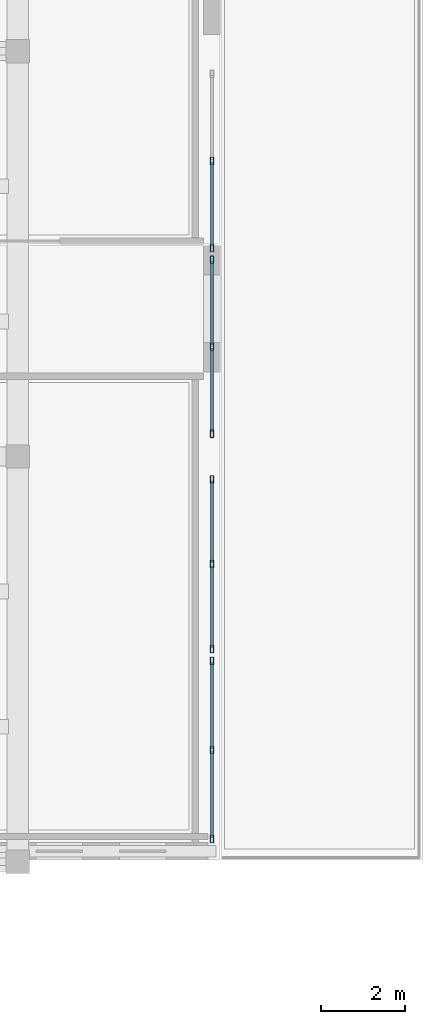
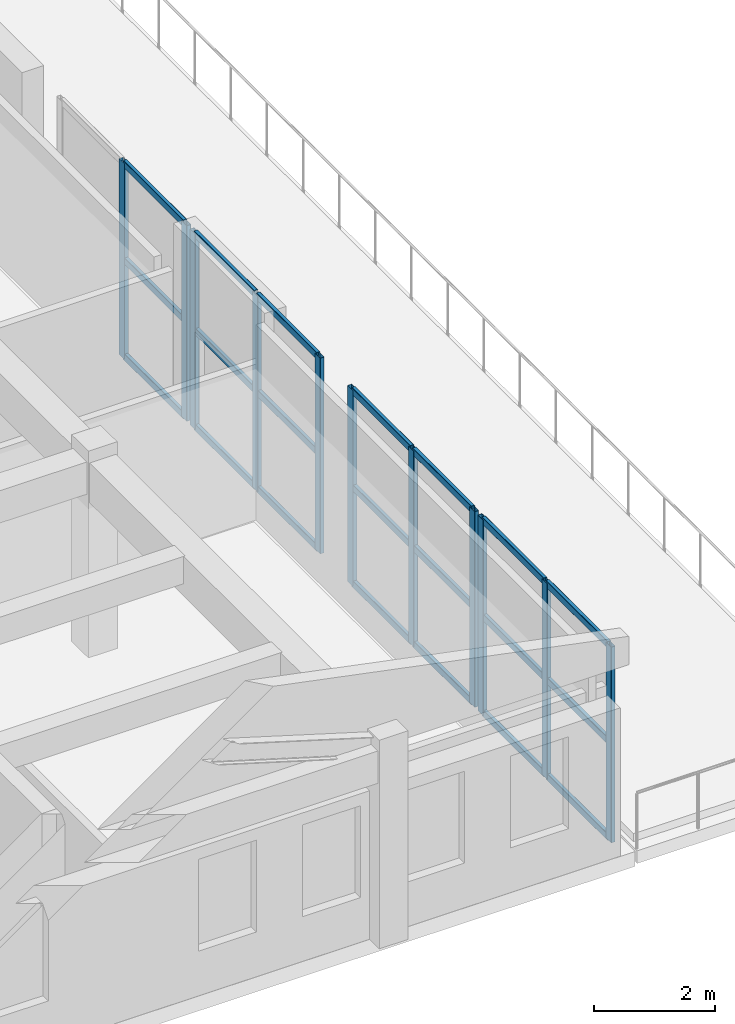
# One storey, part 4 of 31: 32 members, 4 elements without a shape of their own.
"""IFC4 building model written with IfcOpenShell, lengths in metres."""

import ifcopenshell
import ifcopenshell.guid

model = None  # the IFC model being written
_history = None  # IfcOwnerHistory: only IFC2X3 demands one
_inside = {}  # id of a spatial element -> (the spatial element, [elements in it])
_under = {}  # id of a project, library or spatial element -> (it, [spatial elements below it])
_declared = {}  # id of a project -> (the project, [libraries it declares])
_typed = {}  # id of a type object -> (the type object, [elements of that type])
_made_of = {}  # id of a material, layer set ... -> (it, [elements and type objects made of it])


def new_model(schema):
    """Start an empty IFC model of exactly this schema.

    Asked for "IFC4X3", IfcOpenShell would pick the latest addendum, in which some entities
    have other attributes; the version numbers below select the first issue.
    IFC2X3 requires an IfcOwnerHistory on every rooted entity: one is made here for all.
    """
    global model, _history
    if schema == "IFC4X3":
        model = ifcopenshell.file(schema_version=(4, 3, 0, 0))
    else:
        model = ifcopenshell.file(schema=schema)
    _inside.clear()
    _under.clear()
    _declared.clear()
    _typed.clear()
    _made_of.clear()
    _history = None
    if model.schema == "IFC2X3":
        org = make("IfcOrganization", Name="unknown")
        user = make(
            "IfcPersonAndOrganization",
            ThePerson=make("IfcPerson", FamilyName="unknown"),
            TheOrganization=org,
        )
        app = make(
            "IfcApplication",
            ApplicationDeveloper=org,
            Version="unknown",
            ApplicationFullName="unknown",
            ApplicationIdentifier="unknown",
        )
        _history = make(
            "IfcOwnerHistory",
            OwningUser=user,
            OwningApplication=app,
            ChangeAction="ADDED",
            CreationDate=0,
        )
    return model


def make(cls, **values):
    """One entity of the class cls with the attributes given. An attribute that is None is left unset."""
    return model.create_entity(
        cls, **{name: value for name, value in values.items() if value is not None}
    )


def rooted(cls, **values):
    """An entity with a GlobalId (a new one), such as an element, a storey or a relation."""
    return make(cls, GlobalId=ifcopenshell.guid.new(), OwnerHistory=_history, **values)


def si_unit(unit_type, name, prefix=None):
    """IfcSIUnit, for example si_unit("LENGTHUNIT", "METRE", prefix="MILLI")."""
    return make("IfcSIUnit", UnitType=unit_type, Prefix=prefix, Name=name)


def assignment(units):
    """IfcUnitAssignment: the units of a project."""
    return None if units is None else make("IfcUnitAssignment", Units=units)


def point(xyz):
    """IfcCartesianPoint."""
    return None if xyz is None else make("IfcCartesianPoint", Coordinates=xyz)


def direction(xyz):
    """IfcDirection."""
    return None if xyz is None else make("IfcDirection", DirectionRatios=xyz)


def frame(location, z_axis=None, x_axis=None):
    """IfcAxis2Placement3D, a coordinate frame: its origin and axes. An axis left out is left unset."""
    return make(
        "IfcAxis2Placement3D",
        Location=point(location),
        Axis=direction(z_axis),
        RefDirection=direction(x_axis),
    )


def frame_2d(location, x_axis=None):
    """IfcAxis2Placement2D, a coordinate frame in the plane: its origin and x axis."""
    return make(
        "IfcAxis2Placement2D", Location=point(location), RefDirection=direction(x_axis)
    )


def origin():
    """The frame at (0, 0, 0) with its axes left unset."""
    return frame((0.0, 0.0, 0.0))


def origin_2d():
    """The frame at (0, 0) in the plane with its x axis left unset."""
    return frame_2d((0.0, 0.0))


def place(relative_to, where):
    """IfcLocalPlacement: puts the frame where relative to a parent placement (None: the world)."""
    return make(
        "IfcLocalPlacement", PlacementRelTo=relative_to, RelativePlacement=where
    )


def context(
    kind, dimensions, precision=None, world=None, true_north=None, identifier=None
):
    """IfcGeometricRepresentationContext, for example the 3D "Model" context."""
    return make(
        "IfcGeometricRepresentationContext",
        ContextIdentifier=identifier,
        ContextType=kind,
        CoordinateSpaceDimension=dimensions,
        Precision=precision,
        WorldCoordinateSystem=world,
        TrueNorth=true_north,
    )


def subcontext(parent, identifier, kind, view, scale=None):
    """IfcGeometricRepresentationSubContext, for example "Body" below "Model"."""
    return make(
        "IfcGeometricRepresentationSubContext",
        ContextIdentifier=identifier,
        ContextType=kind,
        ParentContext=parent,
        TargetScale=scale,
        TargetView=view,
    )


def project(units=None, contexts=None):
    """IfcProject with its units and contexts."""
    return rooted(
        "IfcProject",
        Name="project",
        RepresentationContexts=contexts,
        UnitsInContext=assignment(units),
    )


def spatial(cls, under=None, at=None, **own):
    """A site, building, storey or space (cls), placed at a placement, below another one or the project."""
    s = rooted(cls, ObjectPlacement=at, **own)
    if under is not None:
        _under.setdefault(under.id(), (under, []))[1].append(s)
    return s


def profile(cls, at=None, kind="AREA", **sizes):
    """A parametric profile (cls). Its sizes go by their IFC names, for example OverallWidth=200.0."""
    return make(cls, ProfileType=kind, Position=at, **sizes)


def hollow_rectangle(**sizes):
    """IfcRectangleHollowProfileDef."""
    return profile("IfcRectangleHollowProfileDef", **sizes)


def extrude(swept, where, along, depth):
    """IfcExtrudedAreaSolid: the profile swept, set in the frame where, extruded along a direction by depth."""
    return make(
        "IfcExtrudedAreaSolid",
        SweptArea=swept,
        Position=where,
        ExtrudedDirection=direction(along),
        Depth=depth,
    )


def shape(context_of_items, identifier, shape_type, items):
    """IfcShapeRepresentation: the items that make up one representation, for example the "Body"."""
    return make(
        "IfcShapeRepresentation",
        ContextOfItems=context_of_items,
        RepresentationIdentifier=identifier,
        RepresentationType=shape_type,
        Items=items,
    )


def material(Name=None, Category=None):
    """IfcMaterial."""
    return make("IfcMaterial", Name=Name, Category=Category)


def layer(
    of_material, thickness, ventilated=None, Name=None, Category=None, Priority=None
):
    """IfcMaterialLayer: one layer of a wall or slab, of a material (None: an air gap)."""
    return make(
        "IfcMaterialLayer",
        Material=of_material,
        LayerThickness=thickness,
        IsVentilated=ventilated,
        Name=Name,
        Category=Category,
        Priority=Priority,
    )


def layer_set(layers, Name=None):
    """IfcMaterialLayerSet."""
    return make("IfcMaterialLayerSet", MaterialLayers=layers, LayerSetName=Name)


def material_profile(
    of_material, cross_section, Name=None, Category=None, Priority=None
):
    """IfcMaterialProfile: a cross section and its material."""
    return make(
        "IfcMaterialProfile",
        Name=Name,
        Material=of_material,
        Profile=cross_section,
        Priority=Priority,
        Category=Category,
    )


def profile_set(profiles, Name=None, composite=None):
    """IfcMaterialProfileSet."""
    return make(
        "IfcMaterialProfileSet",
        Name=Name,
        MaterialProfiles=profiles,
        CompositeProfile=composite,
    )


def made_of(thing, what):
    """Note that an element or type object is made of a material, layer set ...; save() writes the relation."""
    if what is not None:
        _made_of.setdefault(what.id(), (what, []))[1].append(thing)
    return thing


def type_object(cls, material=None, **own):
    """A type object (cls), such as IfcWallType, which elements share."""
    return made_of(rooted(cls, **own), material)


def element(
    cls,
    number,
    at=None,
    inside=None,
    cuts=None,
    type_object=None,
    material=None,
    context=None,
    identifier="Body",
    shape_type=None,
    held_by="IfcProductDefinitionShape",
    body=None,
    shapes=None,
    **own,
):
    """One element of the class cls, such as IfcWall. Its Tag is "e" and its number.

    at: its placement. inside: the storey or other place that contains it. cuts: it is an
    opening in that element (IfcRelVoidsElement). A single representation is given by context,
    identifier, shape_type and body (its items); several are given by shapes. held_by: the class
    of the entity that holds the representations. save() writes the other relations.
    """
    e = rooted(cls, Tag="e%d" % number, ObjectPlacement=at, **own)
    if body is not None:
        shapes = [shape(context, identifier, shape_type, body)]
    if shapes is not None:
        e.Representation = make(held_by, Representations=shapes)
    if inside is not None:
        _inside.setdefault(inside.id(), (inside, []))[1].append(e)
    if cuts is not None:
        rooted(
            "IfcRelVoidsElement", RelatingBuildingElement=cuts, RelatedOpeningElement=e
        )
    if type_object is not None:
        _typed.setdefault(type_object.id(), (type_object, []))[1].append(e)
    return made_of(e, material)


def aggregate(whole, parts):
    """IfcRelAggregates: a whole, such as a stair, and the parts it consists of."""
    return rooted("IfcRelAggregates", RelatingObject=whole, RelatedObjects=parts)


def save(model, path):
    """Write the relations noted so far, then the file.

    IfcRelAggregates (storeys below a building ...), IfcRelContainedInSpatialStructure (elements
    in a storey), IfcRelDefinesByType, IfcRelAssociatesMaterial and IfcRelDeclares: one each for
    every whole, place, type object, material and project.
    """
    for whole, parts in _under.values():
        aggregate(whole, parts)
    for where, things in _inside.values():
        rooted(
            "IfcRelContainedInSpatialStructure",
            RelatedElements=things,
            RelatingStructure=where,
        )
    for kind, things in _typed.values():
        rooted("IfcRelDefinesByType", RelatedObjects=things, RelatingType=kind)
    for what, things in _made_of.values():
        rooted("IfcRelAssociatesMaterial", RelatedObjects=things, RelatingMaterial=what)
    for by, libraries in _declared.values():
        rooted("IfcRelDeclares", RelatingContext=by, RelatedDefinitions=libraries)
    model.write(path)


model = new_model("IFC4")

# Units and contexts
model_context = context("Model", 3, precision=1e-05, world=origin(), true_north=direction((0.0, 1.0)))
body_context = subcontext(model_context, "Body", "Model", "MODEL_VIEW")
ifc_project = project(units=[si_unit("LENGTHUNIT", "METRE"), si_unit("AREAUNIT", "SQUARE_METRE"), si_unit("VOLUMEUNIT", "CUBIC_METRE"), si_unit("PLANEANGLEUNIT", "RADIAN"), si_unit("MASSUNIT", "GRAM", prefix="KILO")], contexts=[model_context])

# Site, building, storey
site_placement = place(None, origin())
site = spatial("IfcSite", under=ifc_project, at=site_placement, CompositionType="ELEMENT")
building_placement = place(site_placement, origin())
building = spatial("IfcBuilding", under=site, at=building_placement, Name="Tarnavel Promenade Courthouse", CompositionType="ELEMENT")
storey_placement = place(building_placement, frame((0.0, 0.0, 18.60009765625)))
storey = spatial("IfcBuildingStorey", under=building, at=storey_placement, Name="L05", CompositionType="ELEMENT", Elevation=18.60009765625)

# Curtain wall, members
ifc_material_1 = material(Name="Thermally Broken Anodised Aluminium Curtain Wall System", Category="aluminium")
ifc_layer = layer(ifc_material_1, 0.195068359375)
ifc_layer_set = layer_set([ifc_layer], Name="Thermally Broken Anodised Aluminium Curtain Wall System")
curtain_wall_type = type_object("IfcCurtainWallType", Name="Thermally Broken Aluminium Triple-Glazed Curtain Wall CW-TER", PredefinedType="NOTDEFINED", material=ifc_layer_set)
curtain_wall_1_placement = place(storey_placement, origin())
curtain_wall_1 = element("IfcCurtainWall", 1, at=curtain_wall_1_placement, inside=storey, type_object=curtain_wall_type, Name="L05 Library Terrace Glazed Bay 181", PredefinedType="NOTDEFINED")
ifc_material_2 = material(Name="Thermally Broken Anodised Aluminium Frame", Category="aluminium")
ifc_material_profile_1 = material_profile(ifc_material_2, hollow_rectangle(XDim=0.080078125, YDim=0.179931640625, WallThickness=0.0048828125, InnerFilletRadius=0.0048828125, OuterFilletRadius=0.010009765625, at=origin_2d()), Name="CWM 180x80x5")
ifc_profile_set_1 = profile_set([ifc_material_profile_1], Name="Thermally Broken Anodised Aluminium Frame")
member_type_1 = type_object("IfcMemberType", Name="Thermally Broken Anodised Aluminium CWM-155 (CWM 180x80x5)", PredefinedType="MULLION", material=ifc_profile_set_1)
member_1_placement = place(storey_placement, frame((33.39990234375, 37.739990234375, 0.0), z_axis=(0.0, 0.0, 1.0), x_axis=(-1.0, 0.0, 0.0)))
member_1 = element("IfcMember", 2, at=member_1_placement, type_object=member_type_1, Name="CW-06 mullion 1", PredefinedType="MULLION", context=body_context, shape_type="SweptSolid", body=[
    extrude(hollow_rectangle(XDim=0.080078125, YDim=0.179931640625, WallThickness=0.0048828125, InnerFilletRadius=0.0048828125, OuterFilletRadius=0.010009765625, at=origin_2d()), origin(), (0.0, 0.0, 1.0), 3.93994140625),
])
member_2_placement = place(storey_placement, frame((33.39990234375, 39.85009765625, 0.0), z_axis=(0.0, 0.0, 1.0), x_axis=(-1.0, 0.0, 0.0)))
member_2 = element("IfcMember", 3, at=member_2_placement, type_object=member_type_1, Name="CW-06 mullion 2", PredefinedType="MULLION", context=body_context, shape_type="SweptSolid", body=[
    extrude(hollow_rectangle(XDim=0.080078125, YDim=0.179931640625, WallThickness=0.0048828125, InnerFilletRadius=0.0048828125, OuterFilletRadius=0.010009765625, at=origin_2d()), origin(), (0.0, 0.0, 1.0), 3.93994140625),
])
member_3_placement = place(storey_placement, frame((33.39990234375, 41.9599609375, 0.0), z_axis=(0.0, 0.0, 1.0), x_axis=(-1.0, 0.0, 0.0)))
member_3 = element("IfcMember", 4, at=member_3_placement, type_object=member_type_1, Name="CW-06 mullion 3", PredefinedType="MULLION", context=body_context, shape_type="SweptSolid", body=[
    extrude(hollow_rectangle(XDim=0.080078125, YDim=0.179931640625, WallThickness=0.0048828125, InnerFilletRadius=0.0048828125, OuterFilletRadius=0.010009765625, at=origin_2d()), origin(), (0.0, 0.0, 1.0), 3.93994140625),
])

curtain_wall_2_placement = place(storey_placement, origin())
curtain_wall_2 = element("IfcCurtainWall", 5, at=curtain_wall_2_placement, inside=storey, type_object=curtain_wall_type, Name="L05 Library Terrace Glazed Bay 182", PredefinedType="NOTDEFINED")
member_4_placement = place(storey_placement, frame((33.39990234375, 42.239990234375, 0.0), z_axis=(0.0, 0.0, 1.0), x_axis=(-1.0, 0.0, 0.0)))
member_4 = element("IfcMember", 6, at=member_4_placement, type_object=member_type_1, Name="CW-06 mullion 1", PredefinedType="MULLION", context=body_context, shape_type="SweptSolid", body=[
    extrude(hollow_rectangle(XDim=0.080078125, YDim=0.179931640625, WallThickness=0.0048828125, InnerFilletRadius=0.0048828125, OuterFilletRadius=0.010009765625, at=origin_2d()), origin(), (0.0, 0.0, 1.0), 3.93994140625),
])
member_5_placement = place(storey_placement, frame((33.39990234375, 44.25, 0.0), z_axis=(0.0, 0.0, 1.0), x_axis=(-1.0, 0.0, 0.0)))
member_5 = element("IfcMember", 7, at=member_5_placement, type_object=member_type_1, Name="CW-06 mullion 2", PredefinedType="MULLION", context=body_context, shape_type="SweptSolid", body=[
    extrude(hollow_rectangle(XDim=0.080078125, YDim=0.179931640625, WallThickness=0.0048828125, InnerFilletRadius=0.0048828125, OuterFilletRadius=0.010009765625, at=origin_2d()), origin(), (0.0, 0.0, 1.0), 3.93994140625),
])
member_6_placement = place(storey_placement, frame((33.39990234375, 46.260009765625, 0.0), z_axis=(0.0, 0.0, 1.0), x_axis=(-1.0, 0.0, 0.0)))
member_6 = element("IfcMember", 8, at=member_6_placement, type_object=member_type_1, Name="CW-06 mullion 3", PredefinedType="MULLION", context=body_context, shape_type="SweptSolid", body=[
    extrude(hollow_rectangle(XDim=0.080078125, YDim=0.179931640625, WallThickness=0.0048828125, InnerFilletRadius=0.0048828125, OuterFilletRadius=0.010009765625, at=origin_2d()), origin(), (0.0, 0.0, 1.0), 3.93994140625),
])

curtain_wall_3_placement = place(storey_placement, origin())
curtain_wall_3 = element("IfcCurtainWall", 9, at=curtain_wall_3_placement, inside=storey, type_object=curtain_wall_type, Name="L05 Library Terrace Glazed Bay 183", PredefinedType="NOTDEFINED")
member_7_placement = place(storey_placement, frame((33.39990234375, 47.340087890625, 0.0), z_axis=(0.0, 0.0, 1.0), x_axis=(-1.0, 0.0, 0.0)))
member_7 = element("IfcMember", 10, at=member_7_placement, type_object=member_type_1, Name="CW-06 mullion 1", PredefinedType="MULLION", context=body_context, shape_type="SweptSolid", body=[
    extrude(hollow_rectangle(XDim=0.080078125, YDim=0.179931640625, WallThickness=0.0048828125, InnerFilletRadius=0.0048828125, OuterFilletRadius=0.010009765625, at=origin_2d()), origin(), (0.0, 0.0, 1.0), 3.93994140625),
])
member_8_placement = place(storey_placement, frame((33.39990234375, 49.39990234375, 0.0), z_axis=(0.0, 0.0, 1.0), x_axis=(-1.0, 0.0, 0.0)))
member_8 = element("IfcMember", 11, at=member_8_placement, type_object=member_type_1, Name="CW-06 mullion 2", PredefinedType="MULLION", context=body_context, shape_type="SweptSolid", body=[
    extrude(hollow_rectangle(XDim=0.080078125, YDim=0.179931640625, WallThickness=0.0048828125, InnerFilletRadius=0.0048828125, OuterFilletRadius=0.010009765625, at=origin_2d()), origin(), (0.0, 0.0, 1.0), 3.93994140625),
])
member_9_placement = place(storey_placement, frame((33.39990234375, 51.4599609375, 0.0), z_axis=(0.0, 0.0, 1.0), x_axis=(-1.0, 0.0, 0.0)))
member_9 = element("IfcMember", 12, at=member_9_placement, type_object=member_type_1, Name="CW-06 mullion 3", PredefinedType="MULLION", context=body_context, shape_type="SweptSolid", body=[
    extrude(hollow_rectangle(XDim=0.080078125, YDim=0.179931640625, WallThickness=0.0048828125, InnerFilletRadius=0.0048828125, OuterFilletRadius=0.010009765625, at=origin_2d()), origin(), (0.0, 0.0, 1.0), 3.93994140625),
])

curtain_wall_4_placement = place(storey_placement, origin())
curtain_wall_4 = element("IfcCurtainWall", 13, at=curtain_wall_4_placement, inside=storey, type_object=curtain_wall_type, Name="L05 Library Terrace Glazed Bay 184", PredefinedType="NOTDEFINED")
member_10_placement = place(storey_placement, frame((33.39990234375, 51.739990234375, 0.0), z_axis=(0.0, 0.0, 1.0), x_axis=(-1.0, 0.0, 0.0)))
member_10 = element("IfcMember", 14, at=member_10_placement, type_object=member_type_1, Name="CW-06 mullion 1", PredefinedType="MULLION", context=body_context, shape_type="SweptSolid", body=[
    extrude(hollow_rectangle(XDim=0.080078125, YDim=0.179931640625, WallThickness=0.0048828125, InnerFilletRadius=0.0048828125, OuterFilletRadius=0.010009765625, at=origin_2d()), origin(), (0.0, 0.0, 1.0), 3.93994140625),
])
member_11_placement = place(storey_placement, frame((33.39990234375, 53.800048828125, 0.0), z_axis=(0.0, 0.0, 1.0), x_axis=(-1.0, 0.0, 0.0)))
member_11 = element("IfcMember", 15, at=member_11_placement, type_object=member_type_1, Name="CW-06 mullion 2", PredefinedType="MULLION", context=body_context, shape_type="SweptSolid", body=[
    extrude(hollow_rectangle(XDim=0.080078125, YDim=0.179931640625, WallThickness=0.0048828125, InnerFilletRadius=0.0048828125, OuterFilletRadius=0.010009765625, at=origin_2d()), origin(), (0.0, 0.0, 1.0), 3.93994140625),
])

# Member
ifc_material_profile_2 = material_profile(ifc_material_2, hollow_rectangle(XDim=0.070068359375, YDim=0.139892578125, WallThickness=0.0048828125, InnerFilletRadius=0.0048828125, OuterFilletRadius=0.010009765625, at=origin_2d()), Name="CWT 140x70x5")
ifc_profile_set_2 = profile_set([ifc_material_profile_2], Name="Thermally Broken Anodised Aluminium Frame")
member_type_2 = type_object("IfcMemberType", Name="Thermally Broken Anodised Aluminium CWT-125 (CWT 140x70x5)", PredefinedType="USERDEFINED", material=ifc_profile_set_2)
member_12_placement = place(storey_placement, frame((33.39990234375, 37.780029296875, 0.034912109375), z_axis=(0.0, 1.0, 0.0), x_axis=(-1.0, 0.0, 0.0)))
member_12 = element("IfcMember", 16, at=member_12_placement, type_object=member_type_2, Name="CW-06 transom 1.1", ObjectType="TRANSOM", PredefinedType="USERDEFINED", context=body_context, shape_type="SweptSolid", body=[
    extrude(hollow_rectangle(XDim=0.070068359375, YDim=0.139892578125, WallThickness=0.0048828125, InnerFilletRadius=0.0048828125, OuterFilletRadius=0.010009765625, at=origin_2d()), origin(), (0.0, 0.0, 1.0), 2.030029296875),
])

member_13_placement = place(storey_placement, frame((33.39990234375, 37.780029296875, 1.969970703125), z_axis=(0.0, 1.0, 0.0), x_axis=(-1.0, 0.0, 0.0)))
member_13 = element("IfcMember", 17, at=member_13_placement, type_object=member_type_2, Name="CW-06 transom 1.2", ObjectType="TRANSOM", PredefinedType="USERDEFINED", context=body_context, shape_type="SweptSolid", body=[
    extrude(hollow_rectangle(XDim=0.070068359375, YDim=0.139892578125, WallThickness=0.0048828125, InnerFilletRadius=0.0048828125, OuterFilletRadius=0.010009765625, at=origin_2d()), origin(), (0.0, 0.0, 1.0), 2.030029296875),
])

member_14_placement = place(storey_placement, frame((33.39990234375, 37.780029296875, 3.90478515625), z_axis=(0.0, 1.0, 0.0), x_axis=(-1.0, 0.0, 0.0)))
member_14 = element("IfcMember", 18, at=member_14_placement, type_object=member_type_2, Name="CW-06 transom 1.3", ObjectType="TRANSOM", PredefinedType="USERDEFINED", context=body_context, shape_type="SweptSolid", body=[
    extrude(hollow_rectangle(XDim=0.070068359375, YDim=0.139892578125, WallThickness=0.0048828125, InnerFilletRadius=0.0048828125, OuterFilletRadius=0.010009765625, at=origin_2d()), origin(), (0.0, 0.0, 1.0), 2.030029296875),
])

member_15_placement = place(storey_placement, frame((33.39990234375, 39.889892578125, 0.034912109375), z_axis=(0.0, 1.0, 0.0), x_axis=(-1.0, 0.0, 0.0)))
member_15 = element("IfcMember", 19, at=member_15_placement, type_object=member_type_2, Name="CW-06 transom 2.1", ObjectType="TRANSOM", PredefinedType="USERDEFINED", context=body_context, shape_type="SweptSolid", body=[
    extrude(hollow_rectangle(XDim=0.070068359375, YDim=0.139892578125, WallThickness=0.0048828125, InnerFilletRadius=0.0048828125, OuterFilletRadius=0.010009765625, at=origin_2d()), origin(), (0.0, 0.0, 1.0), 2.030029296875),
])

member_16_placement = place(storey_placement, frame((33.39990234375, 39.889892578125, 1.969970703125), z_axis=(0.0, 1.0, 0.0), x_axis=(-1.0, 0.0, 0.0)))
member_16 = element("IfcMember", 20, at=member_16_placement, type_object=member_type_2, Name="CW-06 transom 2.2", ObjectType="TRANSOM", PredefinedType="USERDEFINED", context=body_context, shape_type="SweptSolid", body=[
    extrude(hollow_rectangle(XDim=0.070068359375, YDim=0.139892578125, WallThickness=0.0048828125, InnerFilletRadius=0.0048828125, OuterFilletRadius=0.010009765625, at=origin_2d()), origin(), (0.0, 0.0, 1.0), 2.030029296875),
])

member_17_placement = place(storey_placement, frame((33.39990234375, 39.889892578125, 3.90478515625), z_axis=(0.0, 1.0, 0.0), x_axis=(-1.0, 0.0, 0.0)))
member_17 = element("IfcMember", 21, at=member_17_placement, type_object=member_type_2, Name="CW-06 transom 2.3", ObjectType="TRANSOM", PredefinedType="USERDEFINED", context=body_context, shape_type="SweptSolid", body=[
    extrude(hollow_rectangle(XDim=0.070068359375, YDim=0.139892578125, WallThickness=0.0048828125, InnerFilletRadius=0.0048828125, OuterFilletRadius=0.010009765625, at=origin_2d()), origin(), (0.0, 0.0, 1.0), 2.030029296875),
])

aggregate(curtain_wall_1, [member_1, member_2, member_3, member_12, member_13, member_14, member_15, member_16, member_17])

member_18_placement = place(storey_placement, frame((33.39990234375, 42.280029296875, 0.034912109375), z_axis=(0.0, 1.0, 0.0), x_axis=(-1.0, 0.0, 0.0)))
member_18 = element("IfcMember", 22, at=member_18_placement, type_object=member_type_2, Name="CW-06 transom 1.1", ObjectType="TRANSOM", PredefinedType="USERDEFINED", context=body_context, shape_type="SweptSolid", body=[
    extrude(hollow_rectangle(XDim=0.070068359375, YDim=0.139892578125, WallThickness=0.0048828125, InnerFilletRadius=0.0048828125, OuterFilletRadius=0.010009765625, at=origin_2d()), origin(), (0.0, 0.0, 1.0), 1.929931640625),
])

member_19_placement = place(storey_placement, frame((33.39990234375, 42.280029296875, 1.969970703125), z_axis=(0.0, 1.0, 0.0), x_axis=(-1.0, 0.0, 0.0)))
member_19 = element("IfcMember", 23, at=member_19_placement, type_object=member_type_2, Name="CW-06 transom 1.2", ObjectType="TRANSOM", PredefinedType="USERDEFINED", context=body_context, shape_type="SweptSolid", body=[
    extrude(hollow_rectangle(XDim=0.070068359375, YDim=0.139892578125, WallThickness=0.0048828125, InnerFilletRadius=0.0048828125, OuterFilletRadius=0.010009765625, at=origin_2d()), origin(), (0.0, 0.0, 1.0), 1.929931640625),
])

member_20_placement = place(storey_placement, frame((33.39990234375, 42.280029296875, 3.90478515625), z_axis=(0.0, 1.0, 0.0), x_axis=(-1.0, 0.0, 0.0)))
member_20 = element("IfcMember", 24, at=member_20_placement, type_object=member_type_2, Name="CW-06 transom 1.3", ObjectType="TRANSOM", PredefinedType="USERDEFINED", context=body_context, shape_type="SweptSolid", body=[
    extrude(hollow_rectangle(XDim=0.070068359375, YDim=0.139892578125, WallThickness=0.0048828125, InnerFilletRadius=0.0048828125, OuterFilletRadius=0.010009765625, at=origin_2d()), origin(), (0.0, 0.0, 1.0), 1.929931640625),
])

member_21_placement = place(storey_placement, frame((33.39990234375, 44.2900390625, 0.034912109375), z_axis=(0.0, 1.0, 0.0), x_axis=(-1.0, 0.0, 0.0)))
member_21 = element("IfcMember", 25, at=member_21_placement, type_object=member_type_2, Name="CW-06 transom 2.1", ObjectType="TRANSOM", PredefinedType="USERDEFINED", context=body_context, shape_type="SweptSolid", body=[
    extrude(hollow_rectangle(XDim=0.070068359375, YDim=0.139892578125, WallThickness=0.0048828125, InnerFilletRadius=0.0048828125, OuterFilletRadius=0.010009765625, at=origin_2d()), origin(), (0.0, 0.0, 1.0), 1.929931640625),
])

member_22_placement = place(storey_placement, frame((33.39990234375, 44.2900390625, 1.969970703125), z_axis=(0.0, 1.0, 0.0), x_axis=(-1.0, 0.0, 0.0)))
member_22 = element("IfcMember", 26, at=member_22_placement, type_object=member_type_2, Name="CW-06 transom 2.2", ObjectType="TRANSOM", PredefinedType="USERDEFINED", context=body_context, shape_type="SweptSolid", body=[
    extrude(hollow_rectangle(XDim=0.070068359375, YDim=0.139892578125, WallThickness=0.0048828125, InnerFilletRadius=0.0048828125, OuterFilletRadius=0.010009765625, at=origin_2d()), origin(), (0.0, 0.0, 1.0), 1.929931640625),
])

member_23_placement = place(storey_placement, frame((33.39990234375, 44.2900390625, 3.90478515625), z_axis=(0.0, 1.0, 0.0), x_axis=(-1.0, 0.0, 0.0)))
member_23 = element("IfcMember", 27, at=member_23_placement, type_object=member_type_2, Name="CW-06 transom 2.3", ObjectType="TRANSOM", PredefinedType="USERDEFINED", context=body_context, shape_type="SweptSolid", body=[
    extrude(hollow_rectangle(XDim=0.070068359375, YDim=0.139892578125, WallThickness=0.0048828125, InnerFilletRadius=0.0048828125, OuterFilletRadius=0.010009765625, at=origin_2d()), origin(), (0.0, 0.0, 1.0), 1.929931640625),
])

aggregate(curtain_wall_2, [member_4, member_5, member_6, member_18, member_19, member_20, member_21, member_22, member_23])

member_24_placement = place(storey_placement, frame((33.39990234375, 47.3798828125, 0.034912109375), z_axis=(0.0, 1.0, 0.0), x_axis=(-1.0, 0.0, 0.0)))
member_24 = element("IfcMember", 28, at=member_24_placement, type_object=member_type_2, Name="CW-06 transom 1.1", ObjectType="TRANSOM", PredefinedType="USERDEFINED", context=body_context, shape_type="SweptSolid", body=[
    extrude(hollow_rectangle(XDim=0.070068359375, YDim=0.139892578125, WallThickness=0.0048828125, InnerFilletRadius=0.0048828125, OuterFilletRadius=0.010009765625, at=origin_2d()), origin(), (0.0, 0.0, 1.0), 1.980224609375),
])

member_25_placement = place(storey_placement, frame((33.39990234375, 47.3798828125, 1.969970703125), z_axis=(0.0, 1.0, 0.0), x_axis=(-1.0, 0.0, 0.0)))
member_25 = element("IfcMember", 29, at=member_25_placement, type_object=member_type_2, Name="CW-06 transom 1.2", ObjectType="TRANSOM", PredefinedType="USERDEFINED", context=body_context, shape_type="SweptSolid", body=[
    extrude(hollow_rectangle(XDim=0.070068359375, YDim=0.139892578125, WallThickness=0.0048828125, InnerFilletRadius=0.0048828125, OuterFilletRadius=0.010009765625, at=origin_2d()), origin(), (0.0, 0.0, 1.0), 1.980224609375),
])

member_26_placement = place(storey_placement, frame((33.39990234375, 47.3798828125, 3.90478515625), z_axis=(0.0, 1.0, 0.0), x_axis=(-1.0, 0.0, 0.0)))
member_26 = element("IfcMember", 30, at=member_26_placement, type_object=member_type_2, Name="CW-06 transom 1.3", ObjectType="TRANSOM", PredefinedType="USERDEFINED", context=body_context, shape_type="SweptSolid", body=[
    extrude(hollow_rectangle(XDim=0.070068359375, YDim=0.139892578125, WallThickness=0.0048828125, InnerFilletRadius=0.0048828125, OuterFilletRadius=0.010009765625, at=origin_2d()), origin(), (0.0, 0.0, 1.0), 1.980224609375),
])

member_27_placement = place(storey_placement, frame((33.39990234375, 49.43994140625, 0.034912109375), z_axis=(0.0, 1.0, 0.0), x_axis=(-1.0, 0.0, 0.0)))
member_27 = element("IfcMember", 31, at=member_27_placement, type_object=member_type_2, Name="CW-06 transom 2.1", ObjectType="TRANSOM", PredefinedType="USERDEFINED", context=body_context, shape_type="SweptSolid", body=[
    extrude(hollow_rectangle(XDim=0.070068359375, YDim=0.139892578125, WallThickness=0.0048828125, InnerFilletRadius=0.0048828125, OuterFilletRadius=0.010009765625, at=origin_2d()), origin(), (0.0, 0.0, 1.0), 1.97998046875),
])

member_28_placement = place(storey_placement, frame((33.39990234375, 49.43994140625, 1.969970703125), z_axis=(0.0, 1.0, 0.0), x_axis=(-1.0, 0.0, 0.0)))
member_28 = element("IfcMember", 32, at=member_28_placement, type_object=member_type_2, Name="CW-06 transom 2.2", ObjectType="TRANSOM", PredefinedType="USERDEFINED", context=body_context, shape_type="SweptSolid", body=[
    extrude(hollow_rectangle(XDim=0.070068359375, YDim=0.139892578125, WallThickness=0.0048828125, InnerFilletRadius=0.0048828125, OuterFilletRadius=0.010009765625, at=origin_2d()), origin(), (0.0, 0.0, 1.0), 1.97998046875),
])

member_29_placement = place(storey_placement, frame((33.39990234375, 49.43994140625, 3.90478515625), z_axis=(0.0, 1.0, 0.0), x_axis=(-1.0, 0.0, 0.0)))
member_29 = element("IfcMember", 33, at=member_29_placement, type_object=member_type_2, Name="CW-06 transom 2.3", ObjectType="TRANSOM", PredefinedType="USERDEFINED", context=body_context, shape_type="SweptSolid", body=[
    extrude(hollow_rectangle(XDim=0.070068359375, YDim=0.139892578125, WallThickness=0.0048828125, InnerFilletRadius=0.0048828125, OuterFilletRadius=0.010009765625, at=origin_2d()), origin(), (0.0, 0.0, 1.0), 1.97998046875),
])

aggregate(curtain_wall_3, [member_7, member_8, member_9, member_24, member_25, member_26, member_27, member_28, member_29])

member_30_placement = place(storey_placement, frame((33.39990234375, 51.780029296875, 0.034912109375), z_axis=(0.0, 1.0, 0.0), x_axis=(-1.0, 0.0, 0.0)))
member_30 = element("IfcMember", 34, at=member_30_placement, type_object=member_type_2, Name="CW-06 transom 1.1", ObjectType="TRANSOM", PredefinedType="USERDEFINED", context=body_context, shape_type="SweptSolid", body=[
    extrude(hollow_rectangle(XDim=0.070068359375, YDim=0.139892578125, WallThickness=0.0048828125, InnerFilletRadius=0.0048828125, OuterFilletRadius=0.010009765625, at=origin_2d()), origin(), (0.0, 0.0, 1.0), 1.97998046875),
])

member_31_placement = place(storey_placement, frame((33.39990234375, 51.780029296875, 1.969970703125), z_axis=(0.0, 1.0, 0.0), x_axis=(-1.0, 0.0, 0.0)))
member_31 = element("IfcMember", 35, at=member_31_placement, type_object=member_type_2, Name="CW-06 transom 1.2", ObjectType="TRANSOM", PredefinedType="USERDEFINED", context=body_context, shape_type="SweptSolid", body=[
    extrude(hollow_rectangle(XDim=0.070068359375, YDim=0.139892578125, WallThickness=0.0048828125, InnerFilletRadius=0.0048828125, OuterFilletRadius=0.010009765625, at=origin_2d()), origin(), (0.0, 0.0, 1.0), 1.97998046875),
])

member_32_placement = place(storey_placement, frame((33.39990234375, 51.780029296875, 3.90478515625), z_axis=(0.0, 1.0, 0.0), x_axis=(-1.0, 0.0, 0.0)))
member_32 = element("IfcMember", 36, at=member_32_placement, type_object=member_type_2, Name="CW-06 transom 1.3", ObjectType="TRANSOM", PredefinedType="USERDEFINED", context=body_context, shape_type="SweptSolid", body=[
    extrude(hollow_rectangle(XDim=0.070068359375, YDim=0.139892578125, WallThickness=0.0048828125, InnerFilletRadius=0.0048828125, OuterFilletRadius=0.010009765625, at=origin_2d()), origin(), (0.0, 0.0, 1.0), 1.97998046875),
])

aggregate(curtain_wall_4, [member_10, member_11, member_30, member_31, member_32])

save(model, "model.ifc")
